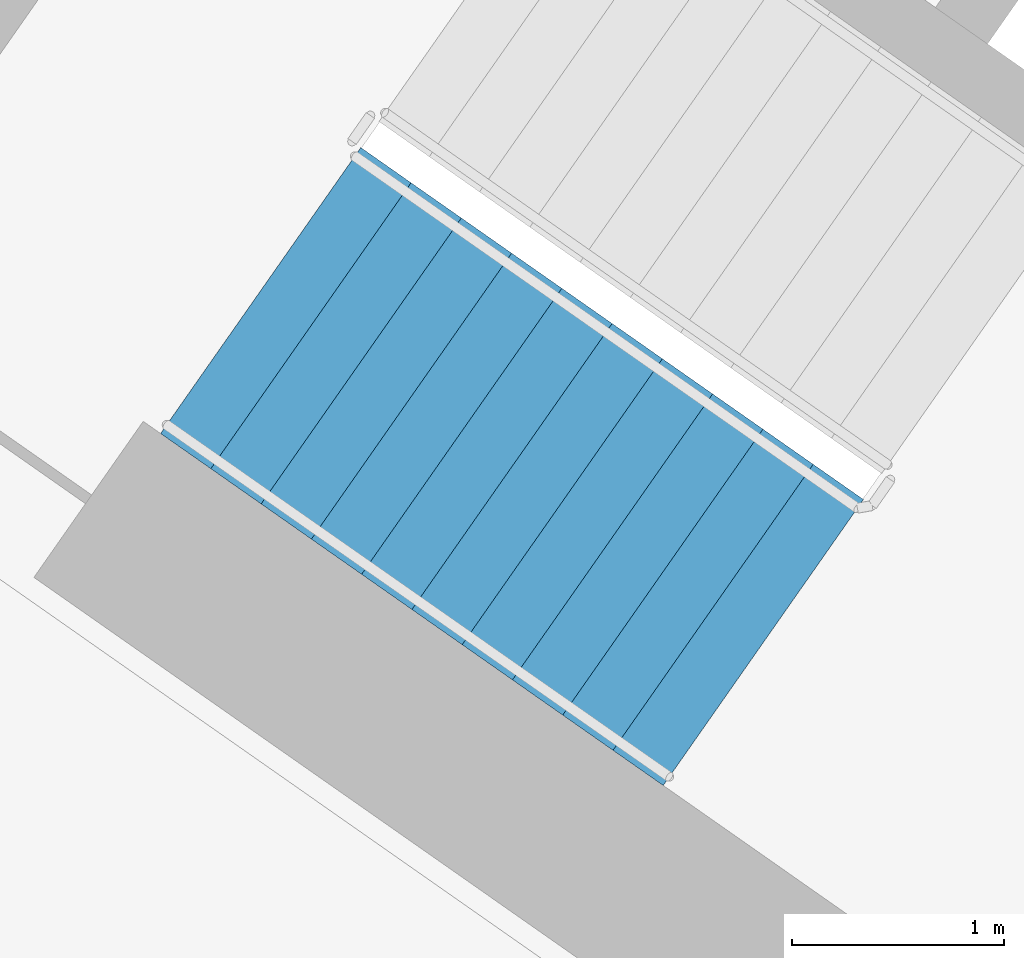
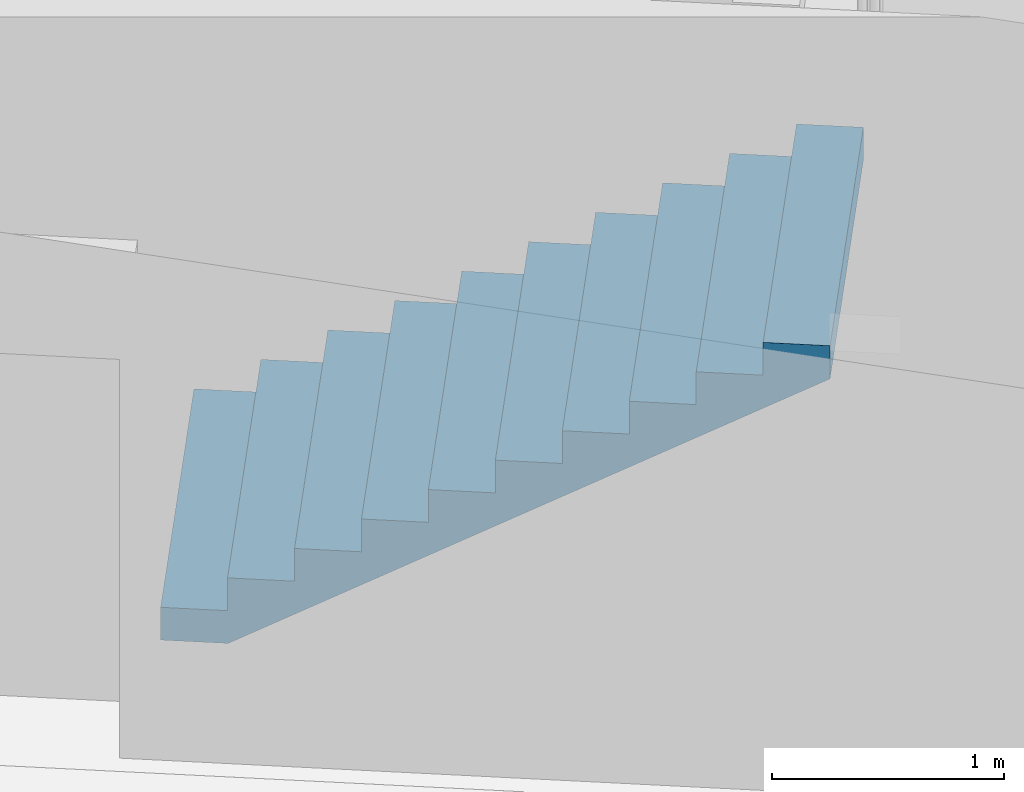
# One storey, part 11 of 31: 1 stair flight, 1 element without a shape of its own.
"""IFC4 building model written with IfcOpenShell, lengths in metres."""

from ifc_helpers import new_model, si_unit, direction, frame, origin, place, context, subcontext, project, spatial, faceted_brep, material, type_object, element, aggregate, save


model = new_model("IFC4")

# Units and contexts
model_context = context("Model", 3, precision=1e-05, world=origin(), true_north=direction((0.0, 1.0)))
body_context = subcontext(model_context, "Body", "Model", "MODEL_VIEW")
ifc_project = project(units=[si_unit("LENGTHUNIT", "METRE"), si_unit("AREAUNIT", "SQUARE_METRE"), si_unit("VOLUMEUNIT", "CUBIC_METRE"), si_unit("PLANEANGLEUNIT", "RADIAN"), si_unit("MASSUNIT", "GRAM", prefix="KILO")], contexts=[model_context])

# Site, building, storey
site_placement = place(None, origin())
site = spatial("IfcSite", under=ifc_project, at=site_placement, CompositionType="ELEMENT")
building_placement = place(site_placement, origin())
building = spatial("IfcBuilding", under=site, at=building_placement, Name="Qamariyya Broadcast Tower", CompositionType="ELEMENT")
storey_placement = place(building_placement, frame((0.0, 0.0, 74.699951171875)))
storey = spatial("IfcBuildingStorey", under=building, at=storey_placement, Name="L15", CompositionType="ELEMENT", Elevation=74.699951171875)

# Stair, stair flight
ifc_material = material(Name="Concrete C50/60", Category="concrete")
stair_type = type_object("IfcStairType", Name="Exit stair 22 risers of 173 mm", PredefinedType="HALF_TURN_STAIR", material=ifc_material)
stair_placement = place(storey_placement, origin())
stair = element("IfcStair", 1, at=stair_placement, inside=storey, type_object=stair_type, Name="L15 Stair W1", PredefinedType="HALF_TURN_STAIR")
stair_flight_type = type_object("IfcStairFlightType", Name="Exit stair flight 11 risers of 173 mm", PredefinedType="STRAIGHT", material=ifc_material)
stair_flight_placement = place(storey_placement, frame((-47.06884765625, -56.982666015625, 0.0), z_axis=(0.0, 0.0, 1.0), x_axis=(0.819152044289, -0.573576436351, 0.0)))
stair_flight = element("IfcStairFlight", 2, at=stair_flight_placement, type_object=stair_flight_type, Name="ST-W1 flight 1", NumberOfRisers=11, NumberOfTreads=10, PredefinedType="STRAIGHT", RiserHeight=0.172727273, TreadLength=0.29, context=body_context, shape_type="Brep", body=[
    faceted_brep([(0.0, 0.824951171875, 0.0), (0.0, 0.824951171875, 0.172607421875), (0.2900390625, 0.824951171875, 0.172607421875), (0.2900390625, 0.824951171875, 0.345458984375), (0.580078125, 0.824951171875, 0.345458984375), (0.580078125, 0.824951171875, 0.51806640625), (0.8701171875, 0.824951171875, 0.51806640625), (0.8701171875, 0.824951171875, 0.69091796875), (1.159912109375, 0.824951171875, 0.69091796875), (1.159912109375, 0.824951171875, 0.863525390625), (1.449951171875, 0.824951171875, 0.863525390625), (1.449951171875, 0.824951171875, 1.036376953125), (1.739990234375, 0.824951171875, 1.036376953125), (1.739990234375, 0.824951171875, 1.208984375), (2.030029296875, 0.824951171875, 1.208984375), (2.030029296875, 0.824951171875, 1.3818359375), (2.320068359375, 0.824951171875, 1.3818359375), (2.320068359375, 0.824951171875, 1.554443359375), (2.610107421875, 0.824951171875, 1.554443359375), (2.610107421875, 0.824951171875, 1.727294921875), (2.89990234375, 0.824951171875, 1.727294921875), (2.89990234375, 0.824951171875, 1.552734375), (0.29296875, 0.824951171875, 0.0), (0.29296875, -0.824951171875, 0.0), (2.89990234375, -0.824951171875, 1.552734375), (2.89990234375, -0.824951171875, 1.727294921875), (2.610107421875, -0.824951171875, 1.727294921875), (2.610107421875, -0.824951171875, 1.554443359375), (2.320068359375, -0.824951171875, 1.554443359375), (2.320068359375, -0.824951171875, 1.3818359375), (2.030029296875, -0.824951171875, 1.3818359375), (2.030029296875, -0.824951171875, 1.208984375), (1.739990234375, -0.824951171875, 1.208984375), (1.739990234375, -0.824951171875, 1.036376953125), (1.449951171875, -0.824951171875, 1.036376953125), (1.449951171875, -0.824951171875, 0.863525390625), (1.159912109375, -0.824951171875, 0.863525390625), (1.159912109375, -0.824951171875, 0.69091796875), (0.8701171875, -0.824951171875, 0.69091796875), (0.8701171875, -0.824951171875, 0.51806640625), (0.580078125, -0.824951171875, 0.51806640625), (0.580078125, -0.824951171875, 0.345458984375), (0.2900390625, -0.824951171875, 0.345458984375), (0.2900390625, -0.824951171875, 0.172607421875), (0.0, -0.824951171875, 0.172607421875), (0.0, -0.824951171875, 0.0), (0.0, 0.10009765625, 0.0), (0.0, 0.086669921875, 0.0), (0.0, 0.0732421875, 0.0), (0.0, 0.06005859375, 0.0), (0.0, 0.046630859375, 0.0), (0.0, 0.033447265625, 0.0), (0.0, 0.02001953125, 0.0), (0.0, 0.006591796875, 0.0), (0.0, -0.006591796875, 0.0), (0.0, -0.02001953125, 0.0), (0.0, -0.033447265625, 0.0), (0.0, -0.046630859375, 0.0), (0.0, -0.06005859375, 0.0), (0.0, -0.0732421875, 0.0), (0.0, -0.086669921875, 0.0), (0.0, -0.10009765625, 0.0), (0.0, -0.10009765625, 0.172607421875), (0.0, -0.086669921875, 0.172607421875), (0.0, -0.0732421875, 0.172607421875), (0.0, -0.06005859375, 0.172607421875), (0.0, -0.046630859375, 0.172607421875), (0.0, -0.033447265625, 0.172607421875), (0.0, -0.02001953125, 0.172607421875), (0.0, -0.006591796875, 0.172607421875), (0.0, 0.006591796875, 0.172607421875), (0.0, 0.02001953125, 0.172607421875), (0.0, 0.033447265625, 0.172607421875), (0.0, 0.046630859375, 0.172607421875), (0.0, 0.06005859375, 0.172607421875), (0.0, 0.0732421875, 0.172607421875), (0.0, 0.086669921875, 0.172607421875), (0.0, 0.10009765625, 0.172607421875), (0.2900390625, -0.10009765625, 0.172607421875), (0.2900390625, -0.086669921875, 0.172607421875), (0.2900390625, -0.0732421875, 0.172607421875), (0.2900390625, -0.06005859375, 0.172607421875), (0.2900390625, -0.046630859375, 0.172607421875), (0.2900390625, -0.033447265625, 0.172607421875), (0.2900390625, -0.02001953125, 0.172607421875), (0.2900390625, -0.006591796875, 0.172607421875), (0.2900390625, 0.006591796875, 0.172607421875), (0.2900390625, 0.02001953125, 0.172607421875), (0.2900390625, 0.033447265625, 0.172607421875), (0.2900390625, 0.046630859375, 0.172607421875), (0.2900390625, 0.06005859375, 0.172607421875), (0.2900390625, 0.0732421875, 0.172607421875), (0.2900390625, 0.086669921875, 0.172607421875), (0.2900390625, 0.10009765625, 0.172607421875), (0.2900390625, -0.10009765625, 0.345458984375), (0.2900390625, -0.086669921875, 0.345458984375), (0.2900390625, -0.0732421875, 0.345458984375), (0.2900390625, -0.06005859375, 0.345458984375), (0.2900390625, -0.046630859375, 0.345458984375), (0.2900390625, -0.033447265625, 0.345458984375), (0.2900390625, -0.02001953125, 0.345458984375), (0.2900390625, -0.006591796875, 0.345458984375), (0.2900390625, 0.006591796875, 0.345458984375), (0.2900390625, 0.02001953125, 0.345458984375), (0.2900390625, 0.033447265625, 0.345458984375), (0.2900390625, 0.046630859375, 0.345458984375), (0.2900390625, 0.06005859375, 0.345458984375), (0.2900390625, 0.0732421875, 0.345458984375), (0.2900390625, 0.086669921875, 0.345458984375), (0.2900390625, 0.10009765625, 0.345458984375), (0.580078125, -0.10009765625, 0.345458984375), (0.580078125, -0.086669921875, 0.345458984375), (0.580078125, -0.0732421875, 0.345458984375), (0.580078125, -0.06005859375, 0.345458984375), (0.580078125, -0.046630859375, 0.345458984375), (0.580078125, -0.033447265625, 0.345458984375), (0.580078125, -0.02001953125, 0.345458984375), (0.580078125, -0.006591796875, 0.345458984375), (0.580078125, 0.006591796875, 0.345458984375), (0.580078125, 0.02001953125, 0.345458984375), (0.580078125, 0.033447265625, 0.345458984375), (0.580078125, 0.046630859375, 0.345458984375), (0.580078125, 0.06005859375, 0.345458984375), (0.580078125, 0.0732421875, 0.345458984375), (0.580078125, 0.086669921875, 0.345458984375), (0.580078125, 0.10009765625, 0.345458984375), (0.580078125, -0.10009765625, 0.51806640625), (0.580078125, -0.086669921875, 0.51806640625), (0.580078125, -0.0732421875, 0.51806640625), (0.580078125, -0.06005859375, 0.51806640625), (0.580078125, -0.046630859375, 0.51806640625), (0.580078125, -0.033447265625, 0.51806640625), (0.580078125, -0.02001953125, 0.51806640625), (0.580078125, -0.006591796875, 0.51806640625), (0.580078125, 0.006591796875, 0.51806640625), (0.580078125, 0.02001953125, 0.51806640625), (0.580078125, 0.033447265625, 0.51806640625), (0.580078125, 0.046630859375, 0.51806640625), (0.580078125, 0.06005859375, 0.51806640625), (0.580078125, 0.0732421875, 0.51806640625), (0.580078125, 0.086669921875, 0.51806640625), (0.580078125, 0.10009765625, 0.51806640625), (0.8701171875, -0.10009765625, 0.51806640625), (0.8701171875, -0.086669921875, 0.51806640625), (0.8701171875, -0.0732421875, 0.51806640625), (0.8701171875, -0.06005859375, 0.51806640625), (0.8701171875, -0.046630859375, 0.51806640625), (0.8701171875, -0.033447265625, 0.51806640625), (0.8701171875, -0.02001953125, 0.51806640625), (0.8701171875, -0.006591796875, 0.51806640625), (0.8701171875, 0.006591796875, 0.51806640625), (0.8701171875, 0.02001953125, 0.51806640625), (0.8701171875, 0.033447265625, 0.51806640625), (0.8701171875, 0.046630859375, 0.51806640625), (0.8701171875, 0.06005859375, 0.51806640625), (0.8701171875, 0.0732421875, 0.51806640625), (0.8701171875, 0.086669921875, 0.51806640625), (0.8701171875, 0.10009765625, 0.51806640625), (0.8701171875, -0.10009765625, 0.69091796875), (0.8701171875, -0.086669921875, 0.69091796875), (0.8701171875, -0.0732421875, 0.69091796875), (0.8701171875, -0.06005859375, 0.69091796875), (0.8701171875, -0.046630859375, 0.69091796875), (0.8701171875, -0.033447265625, 0.69091796875), (0.8701171875, -0.02001953125, 0.69091796875), (0.8701171875, -0.006591796875, 0.69091796875), (0.8701171875, 0.006591796875, 0.69091796875), (0.8701171875, 0.02001953125, 0.69091796875), (0.8701171875, 0.033447265625, 0.69091796875), (0.8701171875, 0.046630859375, 0.69091796875), (0.8701171875, 0.06005859375, 0.69091796875), (0.8701171875, 0.0732421875, 0.69091796875), (0.8701171875, 0.086669921875, 0.69091796875), (0.8701171875, 0.10009765625, 0.69091796875), (1.159912109375, -0.10009765625, 0.69091796875), (1.159912109375, -0.086669921875, 0.69091796875), (1.159912109375, -0.0732421875, 0.69091796875), (1.159912109375, -0.06005859375, 0.69091796875), (1.159912109375, -0.046630859375, 0.69091796875), (1.159912109375, -0.033447265625, 0.69091796875), (1.159912109375, -0.02001953125, 0.69091796875), (1.159912109375, -0.006591796875, 0.69091796875), (1.159912109375, 0.006591796875, 0.69091796875), (1.159912109375, 0.02001953125, 0.69091796875), (1.159912109375, 0.033447265625, 0.69091796875), (1.159912109375, 0.046630859375, 0.69091796875), (1.159912109375, 0.06005859375, 0.69091796875), (1.159912109375, 0.0732421875, 0.69091796875), (1.159912109375, 0.086669921875, 0.69091796875), (1.159912109375, 0.10009765625, 0.69091796875), (1.159912109375, -0.10009765625, 0.863525390625), (1.159912109375, -0.086669921875, 0.863525390625), (1.159912109375, -0.0732421875, 0.863525390625), (1.159912109375, -0.06005859375, 0.863525390625), (1.159912109375, -0.046630859375, 0.863525390625), (1.159912109375, -0.033447265625, 0.863525390625), (1.159912109375, -0.02001953125, 0.863525390625), (1.159912109375, -0.006591796875, 0.863525390625), (1.159912109375, 0.006591796875, 0.863525390625), (1.159912109375, 0.02001953125, 0.863525390625), (1.159912109375, 0.033447265625, 0.863525390625), (1.159912109375, 0.046630859375, 0.863525390625), (1.159912109375, 0.06005859375, 0.863525390625), (1.159912109375, 0.0732421875, 0.863525390625), (1.159912109375, 0.086669921875, 0.863525390625), (1.159912109375, 0.10009765625, 0.863525390625), (1.449951171875, -0.10009765625, 0.863525390625), (1.449951171875, -0.086669921875, 0.863525390625), (1.449951171875, -0.0732421875, 0.863525390625), (1.449951171875, -0.06005859375, 0.863525390625), (1.449951171875, -0.046630859375, 0.863525390625), (1.449951171875, -0.033447265625, 0.863525390625), (1.449951171875, -0.02001953125, 0.863525390625), (1.449951171875, -0.006591796875, 0.863525390625), (1.449951171875, 0.006591796875, 0.863525390625), (1.449951171875, 0.02001953125, 0.863525390625), (1.449951171875, 0.033447265625, 0.863525390625), (1.449951171875, 0.046630859375, 0.863525390625), (1.449951171875, 0.06005859375, 0.863525390625), (1.449951171875, 0.0732421875, 0.863525390625), (1.449951171875, 0.086669921875, 0.863525390625), (1.449951171875, 0.10009765625, 0.863525390625), (1.449951171875, -0.10009765625, 1.036376953125), (1.449951171875, -0.086669921875, 1.036376953125), (1.449951171875, -0.0732421875, 1.036376953125), (1.449951171875, -0.06005859375, 1.036376953125), (1.449951171875, -0.046630859375, 1.036376953125), (1.449951171875, -0.033447265625, 1.036376953125), (1.449951171875, -0.02001953125, 1.036376953125), (1.449951171875, -0.006591796875, 1.036376953125), (1.449951171875, 0.006591796875, 1.036376953125), (1.449951171875, 0.02001953125, 1.036376953125), (1.449951171875, 0.033447265625, 1.036376953125), (1.449951171875, 0.046630859375, 1.036376953125), (1.449951171875, 0.06005859375, 1.036376953125), (1.449951171875, 0.0732421875, 1.036376953125), (1.449951171875, 0.086669921875, 1.036376953125), (1.449951171875, 0.10009765625, 1.036376953125), (1.739990234375, -0.10009765625, 1.036376953125), (1.739990234375, -0.086669921875, 1.036376953125), (1.739990234375, -0.0732421875, 1.036376953125), (1.739990234375, -0.06005859375, 1.036376953125), (1.739990234375, -0.046630859375, 1.036376953125), (1.739990234375, -0.033447265625, 1.036376953125), (1.739990234375, -0.02001953125, 1.036376953125), (1.739990234375, -0.006591796875, 1.036376953125), (1.739990234375, 0.006591796875, 1.036376953125), (1.739990234375, 0.02001953125, 1.036376953125), (1.739990234375, 0.033447265625, 1.036376953125), (1.739990234375, 0.046630859375, 1.036376953125), (1.739990234375, 0.06005859375, 1.036376953125), (1.739990234375, 0.0732421875, 1.036376953125), (1.739990234375, 0.086669921875, 1.036376953125), (1.739990234375, 0.10009765625, 1.036376953125), (1.739990234375, -0.10009765625, 1.208984375), (1.739990234375, -0.086669921875, 1.208984375), (1.739990234375, -0.0732421875, 1.208984375), (1.739990234375, -0.06005859375, 1.208984375), (1.739990234375, -0.046630859375, 1.208984375), (1.739990234375, -0.033447265625, 1.208984375), (1.739990234375, -0.02001953125, 1.208984375), (1.739990234375, -0.006591796875, 1.208984375), (1.739990234375, 0.006591796875, 1.208984375), (1.739990234375, 0.02001953125, 1.208984375), (1.739990234375, 0.033447265625, 1.208984375), (1.739990234375, 0.046630859375, 1.208984375), (1.739990234375, 0.06005859375, 1.208984375), (1.739990234375, 0.0732421875, 1.208984375), (1.739990234375, 0.086669921875, 1.208984375), (1.739990234375, 0.10009765625, 1.208984375), (2.030029296875, -0.10009765625, 1.208984375), (2.030029296875, -0.086669921875, 1.208984375), (2.030029296875, -0.0732421875, 1.208984375), (2.030029296875, -0.06005859375, 1.208984375), (2.030029296875, -0.046630859375, 1.208984375), (2.030029296875, -0.033447265625, 1.208984375), (2.030029296875, -0.02001953125, 1.208984375), (2.030029296875, -0.006591796875, 1.208984375), (2.030029296875, 0.006591796875, 1.208984375), (2.030029296875, 0.02001953125, 1.208984375), (2.030029296875, 0.033447265625, 1.208984375), (2.030029296875, 0.046630859375, 1.208984375), (2.030029296875, 0.06005859375, 1.208984375), (2.030029296875, 0.0732421875, 1.208984375), (2.030029296875, 0.086669921875, 1.208984375), (2.030029296875, 0.10009765625, 1.208984375), (2.030029296875, -0.10009765625, 1.3818359375), (2.030029296875, -0.086669921875, 1.3818359375), (2.030029296875, -0.0732421875, 1.3818359375), (2.030029296875, -0.06005859375, 1.3818359375), (2.030029296875, -0.046630859375, 1.3818359375), (2.030029296875, -0.033447265625, 1.3818359375), (2.030029296875, -0.02001953125, 1.3818359375), (2.030029296875, -0.006591796875, 1.3818359375), (2.030029296875, 0.006591796875, 1.3818359375), (2.030029296875, 0.02001953125, 1.3818359375), (2.030029296875, 0.033447265625, 1.3818359375), (2.030029296875, 0.046630859375, 1.3818359375), (2.030029296875, 0.06005859375, 1.3818359375), (2.030029296875, 0.0732421875, 1.3818359375), (2.030029296875, 0.086669921875, 1.3818359375), (2.030029296875, 0.10009765625, 1.3818359375), (2.320068359375, -0.10009765625, 1.3818359375), (2.320068359375, -0.086669921875, 1.3818359375), (2.320068359375, -0.0732421875, 1.3818359375), (2.320068359375, -0.06005859375, 1.3818359375), (2.320068359375, -0.046630859375, 1.3818359375), (2.320068359375, -0.033447265625, 1.3818359375), (2.320068359375, -0.02001953125, 1.3818359375), (2.320068359375, -0.006591796875, 1.3818359375), (2.320068359375, 0.006591796875, 1.3818359375), (2.320068359375, 0.02001953125, 1.3818359375), (2.320068359375, 0.033447265625, 1.3818359375), (2.320068359375, 0.046630859375, 1.3818359375), (2.320068359375, 0.06005859375, 1.3818359375), (2.320068359375, 0.0732421875, 1.3818359375), (2.320068359375, 0.086669921875, 1.3818359375), (2.320068359375, 0.10009765625, 1.3818359375), (2.320068359375, -0.10009765625, 1.554443359375), (2.320068359375, -0.086669921875, 1.554443359375), (2.320068359375, -0.0732421875, 1.554443359375), (2.320068359375, -0.06005859375, 1.554443359375), (2.320068359375, -0.046630859375, 1.554443359375), (2.320068359375, -0.033447265625, 1.554443359375), (2.320068359375, -0.02001953125, 1.554443359375), (2.320068359375, -0.006591796875, 1.554443359375), (2.320068359375, 0.006591796875, 1.554443359375), (2.320068359375, 0.02001953125, 1.554443359375), (2.320068359375, 0.033447265625, 1.554443359375), (2.320068359375, 0.046630859375, 1.554443359375), (2.320068359375, 0.06005859375, 1.554443359375), (2.320068359375, 0.0732421875, 1.554443359375), (2.320068359375, 0.086669921875, 1.554443359375), (2.320068359375, 0.10009765625, 1.554443359375), (2.610107421875, -0.10009765625, 1.554443359375), (2.610107421875, -0.086669921875, 1.554443359375), (2.610107421875, -0.0732421875, 1.554443359375), (2.610107421875, -0.06005859375, 1.554443359375), (2.610107421875, -0.046630859375, 1.554443359375), (2.610107421875, -0.033447265625, 1.554443359375), (2.610107421875, -0.02001953125, 1.554443359375), (2.610107421875, -0.006591796875, 1.554443359375), (2.610107421875, 0.006591796875, 1.554443359375), (2.610107421875, 0.02001953125, 1.554443359375), (2.610107421875, 0.033447265625, 1.554443359375), (2.610107421875, 0.046630859375, 1.554443359375), (2.610107421875, 0.06005859375, 1.554443359375), (2.610107421875, 0.0732421875, 1.554443359375), (2.610107421875, 0.086669921875, 1.554443359375), (2.610107421875, 0.10009765625, 1.554443359375), (2.610107421875, -0.10009765625, 1.727294921875), (2.610107421875, -0.086669921875, 1.727294921875), (2.610107421875, -0.0732421875, 1.727294921875), (2.610107421875, -0.06005859375, 1.727294921875), (2.610107421875, -0.046630859375, 1.727294921875), (2.610107421875, -0.033447265625, 1.727294921875), (2.610107421875, -0.02001953125, 1.727294921875), (2.610107421875, -0.006591796875, 1.727294921875), (2.610107421875, 0.006591796875, 1.727294921875), (2.610107421875, 0.02001953125, 1.727294921875), (2.610107421875, 0.033447265625, 1.727294921875), (2.610107421875, 0.046630859375, 1.727294921875), (2.610107421875, 0.06005859375, 1.727294921875), (2.610107421875, 0.0732421875, 1.727294921875), (2.610107421875, 0.086669921875, 1.727294921875), (2.610107421875, 0.10009765625, 1.727294921875), (2.89990234375, -0.10009765625, 1.727294921875), (2.89990234375, -0.086669921875, 1.727294921875), (2.89990234375, -0.0732421875, 1.727294921875), (2.89990234375, -0.06005859375, 1.727294921875), (2.89990234375, -0.046630859375, 1.727294921875), (2.89990234375, -0.033447265625, 1.727294921875), (2.89990234375, -0.02001953125, 1.727294921875), (2.89990234375, -0.006591796875, 1.727294921875), (2.89990234375, 0.006591796875, 1.727294921875), (2.89990234375, 0.02001953125, 1.727294921875), (2.89990234375, 0.033447265625, 1.727294921875), (2.89990234375, 0.046630859375, 1.727294921875), (2.89990234375, 0.06005859375, 1.727294921875), (2.89990234375, 0.0732421875, 1.727294921875), (2.89990234375, 0.086669921875, 1.727294921875), (2.89990234375, 0.10009765625, 1.727294921875), (2.89990234375, -0.10009765625, 1.552734375), (2.89990234375, -0.086669921875, 1.552734375), (2.89990234375, -0.0732421875, 1.552734375), (2.89990234375, -0.06005859375, 1.552734375), (2.89990234375, -0.046630859375, 1.552734375), (2.89990234375, -0.033447265625, 1.552734375), (2.89990234375, -0.02001953125, 1.552734375), (2.89990234375, -0.006591796875, 1.552734375), (2.89990234375, 0.006591796875, 1.552734375), (2.89990234375, 0.02001953125, 1.552734375), (2.89990234375, 0.033447265625, 1.552734375), (2.89990234375, 0.046630859375, 1.552734375), (2.89990234375, 0.06005859375, 1.552734375), (2.89990234375, 0.0732421875, 1.552734375), (2.89990234375, 0.086669921875, 1.552734375), (2.89990234375, 0.10009765625, 1.552734375), (0.29296875, -0.10009765625, 0.0), (0.29296875, -0.086669921875, 0.0), (0.29296875, -0.0732421875, 0.0), (0.29296875, -0.06005859375, 0.0), (0.29296875, -0.046630859375, 0.0), (0.29296875, -0.033447265625, 0.0), (0.29296875, -0.02001953125, 0.0), (0.29296875, -0.006591796875, 0.0), (0.29296875, 0.006591796875, 0.0), (0.29296875, 0.02001953125, 0.0), (0.29296875, 0.033447265625, 0.0), (0.29296875, 0.046630859375, 0.0), (0.29296875, 0.06005859375, 0.0), (0.29296875, 0.0732421875, 0.0), (0.29296875, 0.086669921875, 0.0), (0.29296875, 0.10009765625, 0.0)], [[[0, 1, 2, 3, 4, 5, 6, 7, 8, 9, 10, 11, 12, 13, 14, 15, 16, 17, 18, 19, 20, 21, 22]], [[23, 24, 25, 26, 27, 28, 29, 30, 31, 32, 33, 34, 35, 36, 37, 38, 39, 40, 41, 42, 43, 44, 45]], [[0, 46, 47, 48, 49, 50, 51, 52, 53, 54, 55, 56, 57, 58, 59, 60, 61, 45, 44, 62, 63, 64, 65, 66, 67, 68, 69, 70, 71, 72, 73, 74, 75, 76, 77, 1]], [[1, 77, 76, 75, 74, 73, 72, 71, 70, 69, 68, 67, 66, 65, 64, 63, 62, 44, 43, 78, 79, 80, 81, 82, 83, 84, 85, 86, 87, 88, 89, 90, 91, 92, 93, 2]], [[2, 93, 92, 91, 90, 89, 88, 87, 86, 85, 84, 83, 82, 81, 80, 79, 78, 43, 42, 94, 95, 96, 97, 98, 99, 100, 101, 102, 103, 104, 105, 106, 107, 108, 109, 3]], [[3, 109, 108, 107, 106, 105, 104, 103, 102, 101, 100, 99, 98, 97, 96, 95, 94, 42, 41, 110, 111, 112, 113, 114, 115, 116, 117, 118, 119, 120, 121, 122, 123, 124, 125, 4]], [[4, 125, 124, 123, 122, 121, 120, 119, 118, 117, 116, 115, 114, 113, 112, 111, 110, 41, 40, 126, 127, 128, 129, 130, 131, 132, 133, 134, 135, 136, 137, 138, 139, 140, 141, 5]], [[5, 141, 140, 139, 138, 137, 136, 135, 134, 133, 132, 131, 130, 129, 128, 127, 126, 40, 39, 142, 143, 144, 145, 146, 147, 148, 149, 150, 151, 152, 153, 154, 155, 156, 157, 6]], [[6, 157, 156, 155, 154, 153, 152, 151, 150, 149, 148, 147, 146, 145, 144, 143, 142, 39, 38, 158, 159, 160, 161, 162, 163, 164, 165, 166, 167, 168, 169, 170, 171, 172, 173, 7]], [[7, 173, 172, 171, 170, 169, 168, 167, 166, 165, 164, 163, 162, 161, 160, 159, 158, 38, 37, 174, 175, 176, 177, 178, 179, 180, 181, 182, 183, 184, 185, 186, 187, 188, 189, 8]], [[8, 189, 188, 187, 186, 185, 184, 183, 182, 181, 180, 179, 178, 177, 176, 175, 174, 37, 36, 190, 191, 192, 193, 194, 195, 196, 197, 198, 199, 200, 201, 202, 203, 204, 205, 9]], [[9, 205, 204, 203, 202, 201, 200, 199, 198, 197, 196, 195, 194, 193, 192, 191, 190, 36, 35, 206, 207, 208, 209, 210, 211, 212, 213, 214, 215, 216, 217, 218, 219, 220, 221, 10]], [[10, 221, 220, 219, 218, 217, 216, 215, 214, 213, 212, 211, 210, 209, 208, 207, 206, 35, 34, 222, 223, 224, 225, 226, 227, 228, 229, 230, 231, 232, 233, 234, 235, 236, 237, 11]], [[11, 237, 236, 235, 234, 233, 232, 231, 230, 229, 228, 227, 226, 225, 224, 223, 222, 34, 33, 238, 239, 240, 241, 242, 243, 244, 245, 246, 247, 248, 249, 250, 251, 252, 253, 12]], [[12, 253, 252, 251, 250, 249, 248, 247, 246, 245, 244, 243, 242, 241, 240, 239, 238, 33, 32, 254, 255, 256, 257, 258, 259, 260, 261, 262, 263, 264, 265, 266, 267, 268, 269, 13]], [[13, 269, 268, 267, 266, 265, 264, 263, 262, 261, 260, 259, 258, 257, 256, 255, 254, 32, 31, 270, 271, 272, 273, 274, 275, 276, 277, 278, 279, 280, 281, 282, 283, 284, 285, 14]], [[14, 285, 284, 283, 282, 281, 280, 279, 278, 277, 276, 275, 274, 273, 272, 271, 270, 31, 30, 286, 287, 288, 289, 290, 291, 292, 293, 294, 295, 296, 297, 298, 299, 300, 301, 15]], [[15, 301, 300, 299, 298, 297, 296, 295, 294, 293, 292, 291, 290, 289, 288, 287, 286, 30, 29, 302, 303, 304, 305, 306, 307, 308, 309, 310, 311, 312, 313, 314, 315, 316, 317, 16]], [[16, 317, 316, 315, 314, 313, 312, 311, 310, 309, 308, 307, 306, 305, 304, 303, 302, 29, 28, 318, 319, 320, 321, 322, 323, 324, 325, 326, 327, 328, 329, 330, 331, 332, 333, 17]], [[17, 333, 332, 331, 330, 329, 328, 327, 326, 325, 324, 323, 322, 321, 320, 319, 318, 28, 27, 334, 335, 336, 337, 338, 339, 340, 341, 342, 343, 344, 345, 346, 347, 348, 349, 18]], [[18, 349, 348, 347, 346, 345, 344, 343, 342, 341, 340, 339, 338, 337, 336, 335, 334, 27, 26, 350, 351, 352, 353, 354, 355, 356, 357, 358, 359, 360, 361, 362, 363, 364, 365, 19]], [[19, 365, 364, 363, 362, 361, 360, 359, 358, 357, 356, 355, 354, 353, 352, 351, 350, 26, 25, 366, 367, 368, 369, 370, 371, 372, 373, 374, 375, 376, 377, 378, 379, 380, 381, 20]], [[20, 381, 380, 379, 378, 377, 376, 375, 374, 373, 372, 371, 370, 369, 368, 367, 366, 25, 24, 382, 383, 384, 385, 386, 387, 388, 389, 390, 391, 392, 393, 394, 395, 396, 397, 21]], [[21, 397, 396, 395, 394, 393, 392, 391, 390, 389, 388, 387, 386, 385, 384, 383, 382, 24, 23, 398, 399, 400, 401, 402, 403, 404, 405, 406, 407, 408, 409, 410, 411, 412, 413, 22]], [[22, 413, 412, 411, 410, 409, 408, 407, 406, 405, 404, 403, 402, 401, 400, 399, 398, 23, 45, 61, 60, 59, 58, 57, 56, 55, 54, 53, 52, 51, 50, 49, 48, 47, 46, 0]]]),
])
aggregate(stair, [stair_flight])

save(model, "model.ifc")
